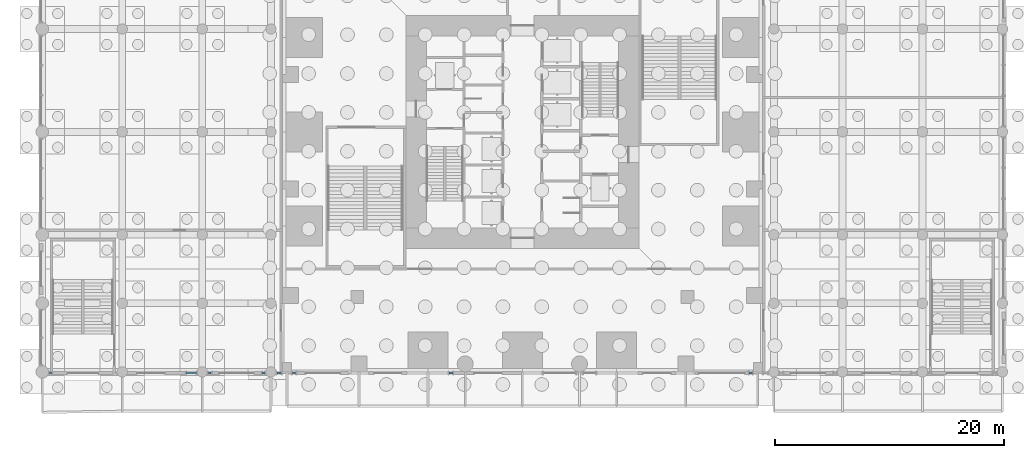
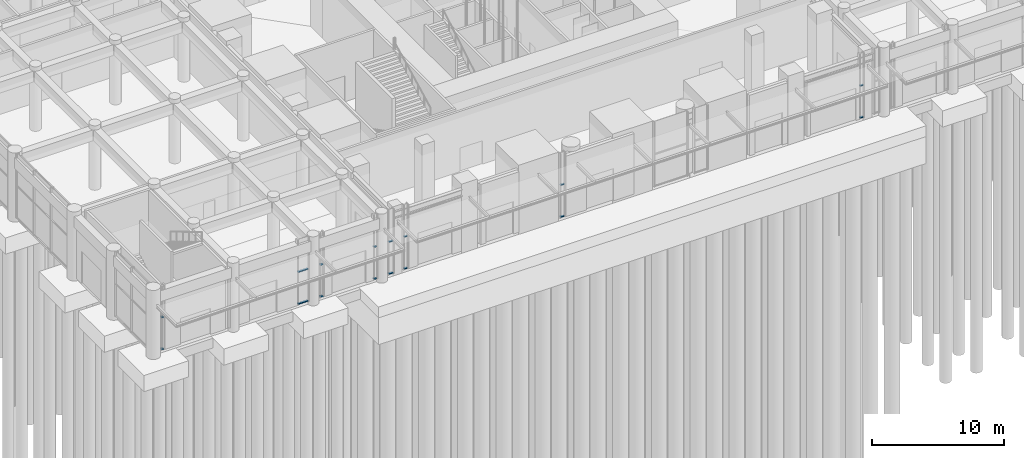
# One storey, part 11 of 46: 16 members, 8 elements without a shape of their own.
"""IFC4 building model written with IfcOpenShell, lengths in metres."""

from ifc_helpers import new_model, si_unit, direction, frame, origin, origin_2d, place, context, subcontext, project, spatial, rectangle, extrude, material, material_profile, profile_set, type_object, element, aggregate, save


model = new_model("IFC4")

# Units and contexts
model_context = context("Model", 3, precision=1e-05, world=origin(), true_north=direction((0.0, 1.0)))
body_context = subcontext(model_context, "Body", "Model", "MODEL_VIEW")
ifc_project = project(units=[si_unit("LENGTHUNIT", "METRE"), si_unit("AREAUNIT", "SQUARE_METRE"), si_unit("VOLUMEUNIT", "CUBIC_METRE"), si_unit("PLANEANGLEUNIT", "RADIAN"), si_unit("MASSUNIT", "GRAM", prefix="KILO")], contexts=[model_context])

# Site, building, storey
site_placement = place(None, origin())
site = spatial("IfcSite", under=ifc_project, at=site_placement, CompositionType="ELEMENT")
building_placement = place(site_placement, origin())
building = spatial("IfcBuilding", under=site, at=building_placement, Name="Svetlomir Tower", CompositionType="ELEMENT")
storey_placement = place(building_placement, origin())
storey = spatial("IfcBuildingStorey", under=building, at=storey_placement, Name="L00", CompositionType="ELEMENT", Elevation=0.0)

# Curtain wall, members
ifc_material_1 = material(Name="Bronze anodised aluminium curtain wall", Category="aluminium")
curtain_wall_type = type_object("IfcCurtainWallType", Name="CURTAIN WALL CW5 PODIUM", PredefinedType="NOTDEFINED", material=ifc_material_1)
curtain_wall_1_placement = place(storey_placement, origin())
curtain_wall_1 = element("IfcCurtainWall", 1, at=curtain_wall_1_placement, inside=storey, type_object=curtain_wall_type, Name="Curtain wall CW5 L00", PredefinedType="NOTDEFINED")
ifc_material_2 = material(Name="Bronze anodised aluminium", Category="aluminium")
ifc_material_profile = material_profile(ifc_material_2, rectangle(XDim=0.179931640625, YDim=0.080078125, at=origin_2d()), Name="AL 180x80")
ifc_profile_set = profile_set([ifc_material_profile], Name="Bronze anodised aluminium 6063-T6")
member_type = type_object("IfcMemberType", Name="CW5 TRANSOM 80x180", PredefinedType="USERDEFINED", material=ifc_profile_set)
member_1_placement = place(storey_placement, frame((-20.3701171875, -0.10009765625, 0.0400390625), z_axis=(1.0, 0.0, 0.0), x_axis=(0.0, 1.0, 0.0)))
member_1 = element("IfcMember", 2, at=member_1_placement, type_object=member_type, Name="CW5 transom 1.1", ObjectType="TRANSOM", PredefinedType="USERDEFINED", context=body_context, shape_type="SweptSolid", body=[
    extrude(rectangle(XDim=0.179931640625, YDim=0.080078125, at=origin_2d()), origin(), (0.0, 0.0, 1.0), 0.190185546875),
])
member_2_placement = place(storey_placement, frame((-20.3701171875, -0.10009765625, 3.0), z_axis=(1.0, 0.0, 0.0), x_axis=(0.0, 1.0, 0.0)))
member_2 = element("IfcMember", 3, at=member_2_placement, type_object=member_type, Name="CW5 transom 1.2", ObjectType="TRANSOM", PredefinedType="USERDEFINED", context=body_context, shape_type="SweptSolid", body=[
    extrude(rectangle(XDim=0.179931640625, YDim=0.080078125, at=origin_2d()), origin(), (0.0, 0.0, 1.0), 0.190185546875),
])
aggregate(curtain_wall_1, [member_1, member_2])

curtain_wall_2_placement = place(storey_placement, origin())
curtain_wall_2 = element("IfcCurtainWall", 4, at=curtain_wall_2_placement, inside=storey, type_object=curtain_wall_type, Name="Curtain wall CW5 L00", PredefinedType="NOTDEFINED")
member_3_placement = place(storey_placement, frame((-8.419921875, -0.10009765625, 0.0400390625), z_axis=(1.0, 0.0, 0.0), x_axis=(0.0, 1.0, 0.0)))
member_3 = element("IfcMember", 5, at=member_3_placement, type_object=member_type, Name="CW5 transom 1.1", ObjectType="TRANSOM", PredefinedType="USERDEFINED", context=body_context, shape_type="SweptSolid", body=[
    extrude(rectangle(XDim=0.179931640625, YDim=0.080078125, at=origin_2d()), origin(), (0.0, 0.0, 1.0), 0.889892578125),
])
member_4_placement = place(storey_placement, frame((-8.419921875, -0.10009765625, 3.0), z_axis=(1.0, 0.0, 0.0), x_axis=(0.0, 1.0, 0.0)))
member_4 = element("IfcMember", 6, at=member_4_placement, type_object=member_type, Name="CW5 transom 1.2", ObjectType="TRANSOM", PredefinedType="USERDEFINED", context=body_context, shape_type="SweptSolid", body=[
    extrude(rectangle(XDim=0.179931640625, YDim=0.080078125, at=origin_2d()), origin(), (0.0, 0.0, 1.0), 0.889892578125),
])
aggregate(curtain_wall_2, [member_3, member_4])

curtain_wall_3_placement = place(storey_placement, origin())
curtain_wall_3 = element("IfcCurtainWall", 7, at=curtain_wall_3_placement, inside=storey, type_object=curtain_wall_type, Name="Curtain wall CW5 L00", PredefinedType="NOTDEFINED")
member_5_placement = place(storey_placement, frame((-6.469970703125, -0.10009765625, 0.0400390625), z_axis=(1.0, 0.0, 0.0), x_axis=(0.0, 1.0, 0.0)))
member_5 = element("IfcMember", 8, at=member_5_placement, type_object=member_type, Name="CW5 transom 1.1", ObjectType="TRANSOM", PredefinedType="USERDEFINED", context=body_context, shape_type="SweptSolid", body=[
    extrude(rectangle(XDim=0.179931640625, YDim=0.080078125, at=origin_2d()), origin(), (0.0, 0.0, 1.0), 0.239990234375),
])
member_6_placement = place(storey_placement, frame((-6.469970703125, -0.10009765625, 3.0), z_axis=(1.0, 0.0, 0.0), x_axis=(0.0, 1.0, 0.0)))
member_6 = element("IfcMember", 9, at=member_6_placement, type_object=member_type, Name="CW5 transom 1.2", ObjectType="TRANSOM", PredefinedType="USERDEFINED", context=body_context, shape_type="SweptSolid", body=[
    extrude(rectangle(XDim=0.179931640625, YDim=0.080078125, at=origin_2d()), origin(), (0.0, 0.0, 1.0), 0.239990234375),
])
aggregate(curtain_wall_3, [member_5, member_6])

curtain_wall_4_placement = place(storey_placement, origin())
curtain_wall_4 = element("IfcCurtainWall", 10, at=curtain_wall_4_placement, inside=storey, type_object=curtain_wall_type, Name="Curtain wall CW5 L00", PredefinedType="NOTDEFINED")
member_7_placement = place(storey_placement, frame((-1.77001953125, -0.10009765625, 0.0400390625), z_axis=(1.0, 0.0, 0.0), x_axis=(0.0, 1.0, 0.0)))
member_7 = element("IfcMember", 11, at=member_7_placement, type_object=member_type, Name="CW5 transom 1.1", ObjectType="TRANSOM", PredefinedType="USERDEFINED", context=body_context, shape_type="SweptSolid", body=[
    extrude(rectangle(XDim=0.179931640625, YDim=0.080078125, at=origin_2d()), origin(), (0.0, 0.0, 1.0), 0.239990234375),
])
member_8_placement = place(storey_placement, frame((-1.77001953125, -0.10009765625, 3.0), z_axis=(1.0, 0.0, 0.0), x_axis=(0.0, 1.0, 0.0)))
member_8 = element("IfcMember", 12, at=member_8_placement, type_object=member_type, Name="CW5 transom 1.2", ObjectType="TRANSOM", PredefinedType="USERDEFINED", context=body_context, shape_type="SweptSolid", body=[
    extrude(rectangle(XDim=0.179931640625, YDim=0.080078125, at=origin_2d()), origin(), (0.0, 0.0, 1.0), 0.239990234375),
])
aggregate(curtain_wall_4, [member_7, member_8])

curtain_wall_5_placement = place(storey_placement, origin())
curtain_wall_5 = element("IfcCurtainWall", 13, at=curtain_wall_5_placement, inside=storey, type_object=curtain_wall_type, Name="Curtain wall CW5 L00", PredefinedType="NOTDEFINED")
member_9_placement = place(storey_placement, frame((-0.469970703125, -0.10009765625, 0.0400390625), z_axis=(1.0, 0.0, 0.0), x_axis=(0.0, 1.0, 0.0)))
member_9 = element("IfcMember", 14, at=member_9_placement, type_object=member_type, Name="CW5 transom 1.1", ObjectType="TRANSOM", PredefinedType="USERDEFINED", context=body_context, shape_type="SweptSolid", body=[
    extrude(rectangle(XDim=0.179931640625, YDim=0.080078125, at=origin_2d()), origin(), (0.0, 0.0, 1.0), 0.389892578125),
])
member_10_placement = place(storey_placement, frame((-0.469970703125, -0.10009765625, 3.0), z_axis=(1.0, 0.0, 0.0), x_axis=(0.0, 1.0, 0.0)))
member_10 = element("IfcMember", 15, at=member_10_placement, type_object=member_type, Name="CW5 transom 1.2", ObjectType="TRANSOM", PredefinedType="USERDEFINED", context=body_context, shape_type="SweptSolid", body=[
    extrude(rectangle(XDim=0.179931640625, YDim=0.080078125, at=origin_2d()), origin(), (0.0, 0.0, 1.0), 0.389892578125),
])
aggregate(curtain_wall_5, [member_9, member_10])

curtain_wall_6_placement = place(storey_placement, origin())
curtain_wall_6 = element("IfcCurtainWall", 16, at=curtain_wall_6_placement, inside=storey, type_object=curtain_wall_type, Name="Curtain wall CW5 L00", PredefinedType="NOTDEFINED")
member_11_placement = place(storey_placement, frame((0.8798828125, -0.10009765625, 0.0400390625), z_axis=(1.0, 0.0, 0.0), x_axis=(0.0, 1.0, 0.0)))
member_11 = element("IfcMember", 17, at=member_11_placement, type_object=member_type, Name="CW5 transom 1.1", ObjectType="TRANSOM", PredefinedType="USERDEFINED", context=body_context, shape_type="SweptSolid", body=[
    extrude(rectangle(XDim=0.179931640625, YDim=0.080078125, at=origin_2d()), origin(), (0.0, 0.0, 1.0), 0.2900390625),
])
member_12_placement = place(storey_placement, frame((0.8798828125, -0.10009765625, 3.0), z_axis=(1.0, 0.0, 0.0), x_axis=(0.0, 1.0, 0.0)))
member_12 = element("IfcMember", 18, at=member_12_placement, type_object=member_type, Name="CW5 transom 1.2", ObjectType="TRANSOM", PredefinedType="USERDEFINED", context=body_context, shape_type="SweptSolid", body=[
    extrude(rectangle(XDim=0.179931640625, YDim=0.080078125, at=origin_2d()), origin(), (0.0, 0.0, 1.0), 0.2900390625),
])
aggregate(curtain_wall_6, [member_11, member_12])

curtain_wall_7_placement = place(storey_placement, origin())
curtain_wall_7 = element("IfcCurtainWall", 19, at=curtain_wall_7_placement, inside=storey, type_object=curtain_wall_type, Name="Curtain wall CW5 L00", PredefinedType="NOTDEFINED")
member_13_placement = place(storey_placement, frame((14.580078125, -0.10009765625, 0.0400390625), z_axis=(1.0, 0.0, 0.0), x_axis=(0.0, 1.0, 0.0)))
member_13 = element("IfcMember", 20, at=member_13_placement, type_object=member_type, Name="CW5 transom 1.1", ObjectType="TRANSOM", PredefinedType="USERDEFINED", context=body_context, shape_type="SweptSolid", body=[
    extrude(rectangle(XDim=0.179931640625, YDim=0.080078125, at=origin_2d()), origin(), (0.0, 0.0, 1.0), 0.33984375),
])
member_14_placement = place(storey_placement, frame((14.580078125, -0.10009765625, 3.0), z_axis=(1.0, 0.0, 0.0), x_axis=(0.0, 1.0, 0.0)))
member_14 = element("IfcMember", 21, at=member_14_placement, type_object=member_type, Name="CW5 transom 1.2", ObjectType="TRANSOM", PredefinedType="USERDEFINED", context=body_context, shape_type="SweptSolid", body=[
    extrude(rectangle(XDim=0.179931640625, YDim=0.080078125, at=origin_2d()), origin(), (0.0, 0.0, 1.0), 0.33984375),
])
aggregate(curtain_wall_7, [member_13, member_14])

curtain_wall_8_placement = place(storey_placement, origin())
curtain_wall_8 = element("IfcCurtainWall", 22, at=curtain_wall_8_placement, inside=storey, type_object=curtain_wall_type, Name="Curtain wall CW5 L00", PredefinedType="NOTDEFINED")
member_15_placement = place(storey_placement, frame((40.830078125, -0.10009765625, 0.0400390625), z_axis=(1.0, 0.0, 0.0), x_axis=(0.0, 1.0, 0.0)))
member_15 = element("IfcMember", 23, at=member_15_placement, type_object=member_type, Name="CW5 transom 1.1", ObjectType="TRANSOM", PredefinedType="USERDEFINED", context=body_context, shape_type="SweptSolid", body=[
    extrude(rectangle(XDim=0.179931640625, YDim=0.080078125, at=origin_2d()), origin(), (0.0, 0.0, 1.0), 0.2900390625),
])
member_16_placement = place(storey_placement, frame((40.830078125, -0.10009765625, 3.0), z_axis=(1.0, 0.0, 0.0), x_axis=(0.0, 1.0, 0.0)))
member_16 = element("IfcMember", 24, at=member_16_placement, type_object=member_type, Name="CW5 transom 1.2", ObjectType="TRANSOM", PredefinedType="USERDEFINED", context=body_context, shape_type="SweptSolid", body=[
    extrude(rectangle(XDim=0.179931640625, YDim=0.080078125, at=origin_2d()), origin(), (0.0, 0.0, 1.0), 0.2900390625),
])
aggregate(curtain_wall_8, [member_15, member_16])

save(model, "model.ifc")
